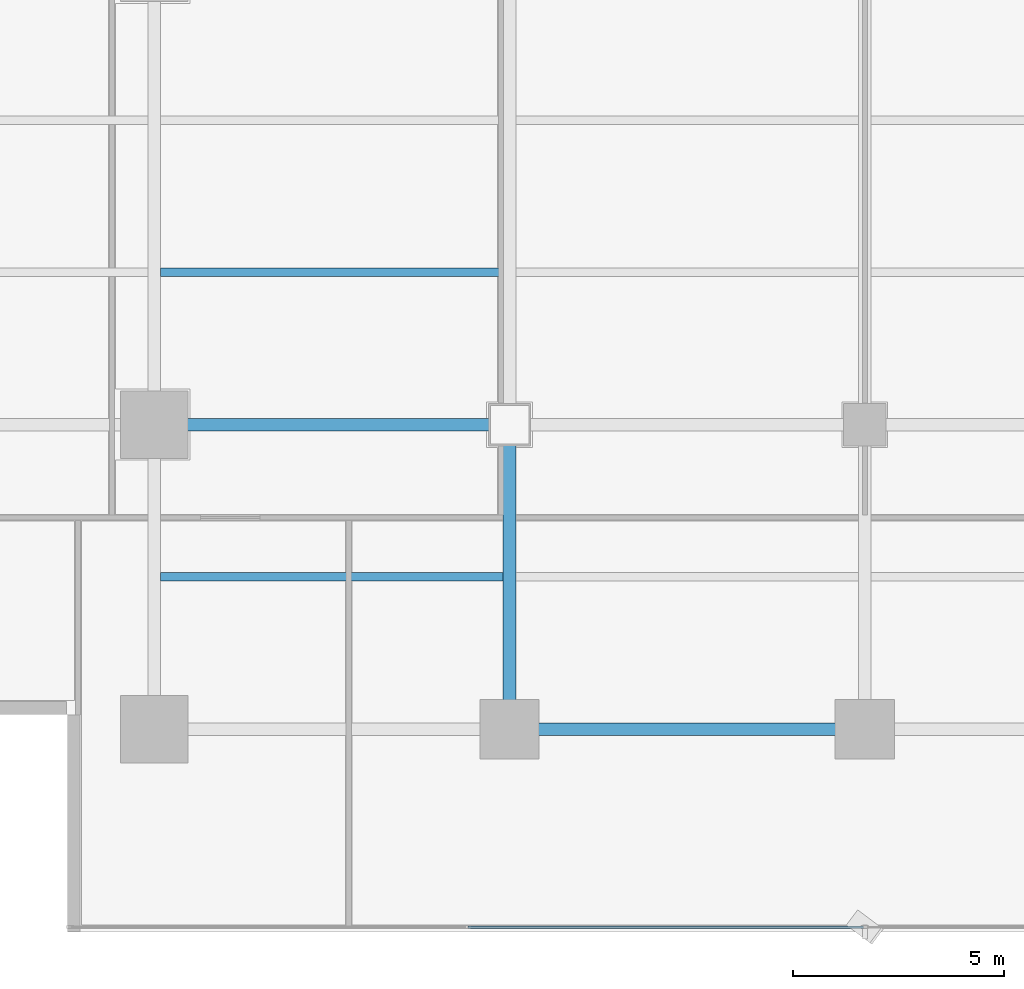
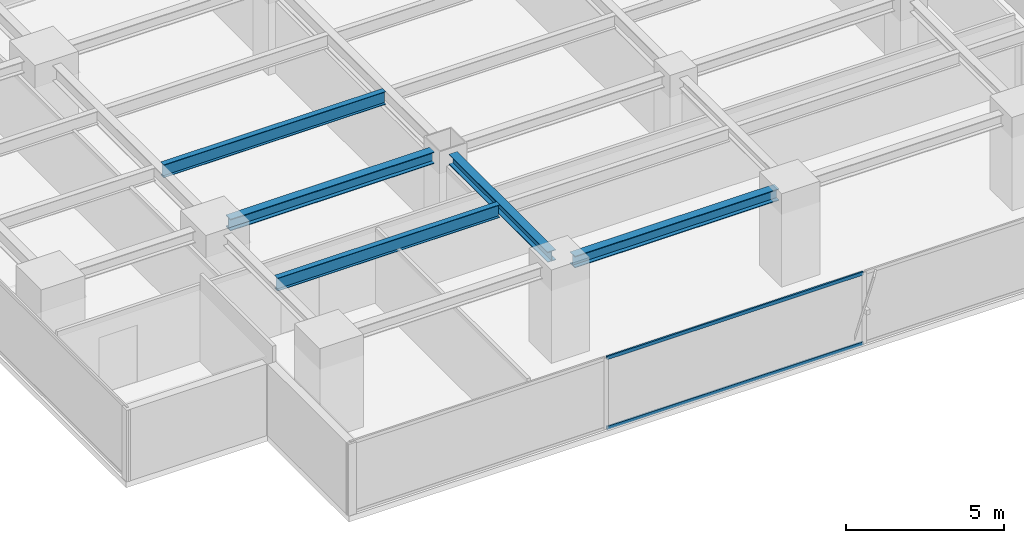
# One storey, part 4 of 28: 5 beams, 2 members, 1 element without a shape of its own.
"""IFC4 building model written with IfcOpenShell, lengths in metres."""

from ifc_helpers import new_model, si_unit, direction, frame, origin, origin_2d, place, context, subcontext, project, spatial, hollow_rectangle, i_section, extrude, source, transform, mapped, material, layer, layer_set, material_profile, profile_set, type_object, element, aggregate, save


model = new_model("IFC4")

# Units and contexts
model_context = context("Model", 3, precision=1e-05, world=origin(), true_north=direction((0.0, 1.0)))
body_context = subcontext(model_context, "Body", "Model", "MODEL_VIEW")
ifc_project = project(units=[si_unit("LENGTHUNIT", "METRE"), si_unit("AREAUNIT", "SQUARE_METRE"), si_unit("VOLUMEUNIT", "CUBIC_METRE"), si_unit("PLANEANGLEUNIT", "RADIAN"), si_unit("MASSUNIT", "GRAM", prefix="KILO")], contexts=[model_context])

# Site, building, storey
site_placement = place(None, origin())
site = spatial("IfcSite", under=ifc_project, at=site_placement, CompositionType="ELEMENT")
building_placement = place(site_placement, origin())
building = spatial("IfcBuilding", under=site, at=building_placement, Name="Sumidabori Civic Tower", CompositionType="ELEMENT")
storey_placement = place(building_placement, frame((0.0, 0.0, 178.39990234375)))
storey = spatial("IfcBuildingStorey", under=building, at=storey_placement, Name="L46", CompositionType="ELEMENT", Elevation=178.39990234375)

# Beams
ifc_material_1 = material(Name="Steel SN490", Category="steel")
ifc_material_profile_1 = material_profile(ifc_material_1, i_section(OverallWidth=0.300048828125, OverallDepth=0.39990234375, WebThickness=0.013427734375, FlangeThickness=0.02392578125, at=origin_2d()), Name="HE 400 B")
ifc_profile_set_1 = profile_set([ifc_material_profile_1], Name="Steel SN490")
beam_type_1 = type_object("IfcBeamType", Name="BM-GIRD-400", PredefinedType="BEAM", material=ifc_profile_set_1)
shared_shape_1 = source(origin(), body_context, "Body", "SweptSolid", [
    extrude(i_section(OverallWidth=0.300048828125, OverallDepth=0.39990234375, WebThickness=0.013427734375, FlangeThickness=0.02392578125, at=origin_2d()), origin(), (0.0, 0.0, 1.0), 6.239990234375),
])
beam_1_placement = place(storey_placement, frame((-8.39990234375, -17.52001953125, 3.18017578125), z_axis=(0.0, 1.0, 0.0), x_axis=(-1.0, 0.0, 0.0)))
element("IfcBeam", 1, at=beam_1_placement, inside=storey, type_object=beam_type_1, Name="Primary Girder L46 GY-26", PredefinedType="BEAM", context=body_context, shape_type="MappedRepresentation", body=[
    mapped(shared_shape_1, transform((0.0, 0.0, 0.0), x_axis=(1.0, 0.0, 0.0), y_axis=(0.0, 1.0, 0.0), z_axis=(0.0, 0.0, 1.0), scale=1.0)),
])
ifc_material_profile_2 = material_profile(ifc_material_1, i_section(OverallWidth=0.199951171875, OverallDepth=0.5, WebThickness=0.01025390625, FlangeThickness=0.01611328125, at=origin_2d()), Name="IPE 500")
ifc_profile_set_2 = profile_set([ifc_material_profile_2], Name="Steel SN490")
beam_type_2 = type_object("IfcBeamType", Name="BM-JST-500", PredefinedType="JOIST", material=ifc_profile_set_2)
shared_shape_2 = source(origin(), body_context, "Body", "SweptSolid", [
    extrude(i_section(OverallWidth=0.199951171875, OverallDepth=0.5, WebThickness=0.01025390625, FlangeThickness=0.01611328125, at=origin_2d()), origin(), (0.0, 0.0, 1.0), 8.099853515625),
])
for number, where, z_axis, x_axis, name in (
    (2, (-16.64990234375, -14.39990234375, 3.130126953125), (1.0, 0.0, 0.0), (0.0, 1.0, 0.0), "South Bay Floor Joist L46 JSTS-49"),
    (3, (-16.64990234375, -7.199951171875, 3.130126953125), (1.0, 0.0, 0.0), (0.0, 1.0, 0.0), "South Bay Floor Joist L46 JSTS-53"),
):
    element("IfcBeam", number, at=place(storey_placement, frame(where, z_axis=z_axis, x_axis=x_axis)), inside=storey, type_object=beam_type_2, Name=name, PredefinedType="JOIST", context=body_context, shape_type="MappedRepresentation", body=[
        mapped(shared_shape_2, transform((0.0, 0.0, 0.0), x_axis=(1.0, 0.0, 0.0), y_axis=(0.0, 1.0, 0.0), z_axis=(0.0, 0.0, 1.0), scale=1.0)),
    ])
ifc_material_profile_3 = material_profile(ifc_material_1, i_section(OverallWidth=0.300048828125, OverallDepth=0.449951171875, WebThickness=0.013916015625, FlangeThickness=0.02587890625, at=origin_2d()), Name="HE 450 B")
ifc_profile_set_3 = profile_set([ifc_material_profile_3], Name="Steel SN490")
beam_type_3 = type_object("IfcBeamType", Name="BM-GIRD-450", PredefinedType="BEAM", material=ifc_profile_set_3)
shared_shape_3 = source(origin(), body_context, "Body", "SweptSolid", [
    extrude(i_section(OverallWidth=0.300048828125, OverallDepth=0.449951171875, WebThickness=0.013916015625, FlangeThickness=0.02587890625, at=origin_2d()), origin(), (0.0, 0.0, 1.0), 7.440185546875),
])
beam_2_placement = place(storey_placement, frame((-16.320068359375, -10.800048828125, 3.155029296875), z_axis=(1.0, 0.0, 0.0), x_axis=(0.0, 1.0, 0.0)))
element("IfcBeam", 4, at=beam_2_placement, inside=storey, type_object=beam_type_3, Name="Primary Girder L46 GX-06", PredefinedType="BEAM", context=body_context, shape_type="MappedRepresentation", body=[
    mapped(shared_shape_3, transform((0.0, 0.0, 0.0), x_axis=(1.0, 0.0, 0.0), y_axis=(0.0, 1.0, 0.0), z_axis=(0.0, 0.0, 1.0), scale=1.0)),
])
shared_shape_4 = source(origin(), body_context, "Body", "SweptSolid", [
    extrude(i_section(OverallWidth=0.300048828125, OverallDepth=0.449951171875, WebThickness=0.013916015625, FlangeThickness=0.02587890625, at=origin_2d()), origin(), (0.0, 0.0, 1.0), 7.43994140625),
])
beam_3_placement = place(storey_placement, frame((-7.919921875, -18.0, 3.155029296875), z_axis=(1.0, 0.0, 0.0), x_axis=(0.0, 1.0, 0.0)))
element("IfcBeam", 5, at=beam_3_placement, inside=storey, type_object=beam_type_3, Name="Primary Girder L46 GX-02", PredefinedType="BEAM", context=body_context, shape_type="MappedRepresentation", body=[
    mapped(shared_shape_4, transform((0.0, 0.0, 0.0), x_axis=(1.0, 0.0, 0.0), y_axis=(0.0, 1.0, 0.0), z_axis=(0.0, 0.0, 1.0), scale=1.0)),
])

# Curtain wall, members
ifc_material_2 = material(Name="Anodised Bronze Aluminium AW-6063-T6", Category="aluminium")
ifc_layer = layer(ifc_material_2, 0.179931640625, Name="Anodised Bronze Aluminium AW-6063-T6")
ifc_layer_set = layer_set([ifc_layer], Name="Anodised Bronze Aluminium AW-6063-T6")
curtain_wall_type = type_object("IfcCurtainWallType", Name="CW-SYS-3", PredefinedType="NOTDEFINED", material=ifc_layer_set)
curtain_wall_placement = place(storey_placement, origin())
curtain_wall = element("IfcCurtainWall", 6, at=curtain_wall_placement, inside=storey, type_object=curtain_wall_type, Name="Curtain Wall CW:L46:R01", PredefinedType="NOTDEFINED")
ifc_material_profile_4 = material_profile(ifc_material_2, hollow_rectangle(XDim=0.06005859375, YDim=0.1298828125, WallThickness=0.0048828125, at=origin_2d()), Name="ALU TRANSOM 130x60")
ifc_profile_set_4 = profile_set([ifc_material_profile_4], Name="Anodised Bronze Aluminium AW-6063-T6")
member_type = type_object("IfcMemberType", Name="CW-TRN-130", PredefinedType="USERDEFINED", material=ifc_profile_set_4)
shared_shape_5 = source(origin(), body_context, "Body", "SweptSolid", [
    extrude(hollow_rectangle(XDim=0.06005859375, YDim=0.1298828125, WallThickness=0.0048828125, at=origin_2d()), origin(), (0.0, 0.0, 1.0), 9.344970703125),
])
member_1_placement = place(storey_placement, frame((-9.37744140625, -22.679931640625, 0.030029296875), z_axis=(1.0, 0.0, 0.0), x_axis=(0.0, 1.0, 0.0)))
member_1 = element("IfcMember", 7, at=member_1_placement, type_object=member_type, Name="CW-3 transom 2.1", ObjectType="TRANSOM", PredefinedType="USERDEFINED", context=body_context, shape_type="MappedRepresentation", body=[
    mapped(shared_shape_5, transform((0.0, 0.0, 0.0), x_axis=(1.0, 0.0, 0.0), y_axis=(0.0, 1.0, 0.0), z_axis=(0.0, 0.0, 1.0), scale=1.0)),
])
member_2_placement = place(storey_placement, frame((-9.37744140625, -22.679931640625, 2.72998046875), z_axis=(1.0, 0.0, 0.0), x_axis=(0.0, 1.0, 0.0)))
member_2 = element("IfcMember", 8, at=member_2_placement, type_object=member_type, Name="CW-3 transom 2.2", ObjectType="TRANSOM", PredefinedType="USERDEFINED", context=body_context, shape_type="MappedRepresentation", body=[
    mapped(shared_shape_5, transform((0.0, 0.0, 0.0), x_axis=(1.0, 0.0, 0.0), y_axis=(0.0, 1.0, 0.0), z_axis=(0.0, 0.0, 1.0), scale=1.0)),
])
aggregate(curtain_wall, [member_1, member_2])

save(model, "model.ifc")
